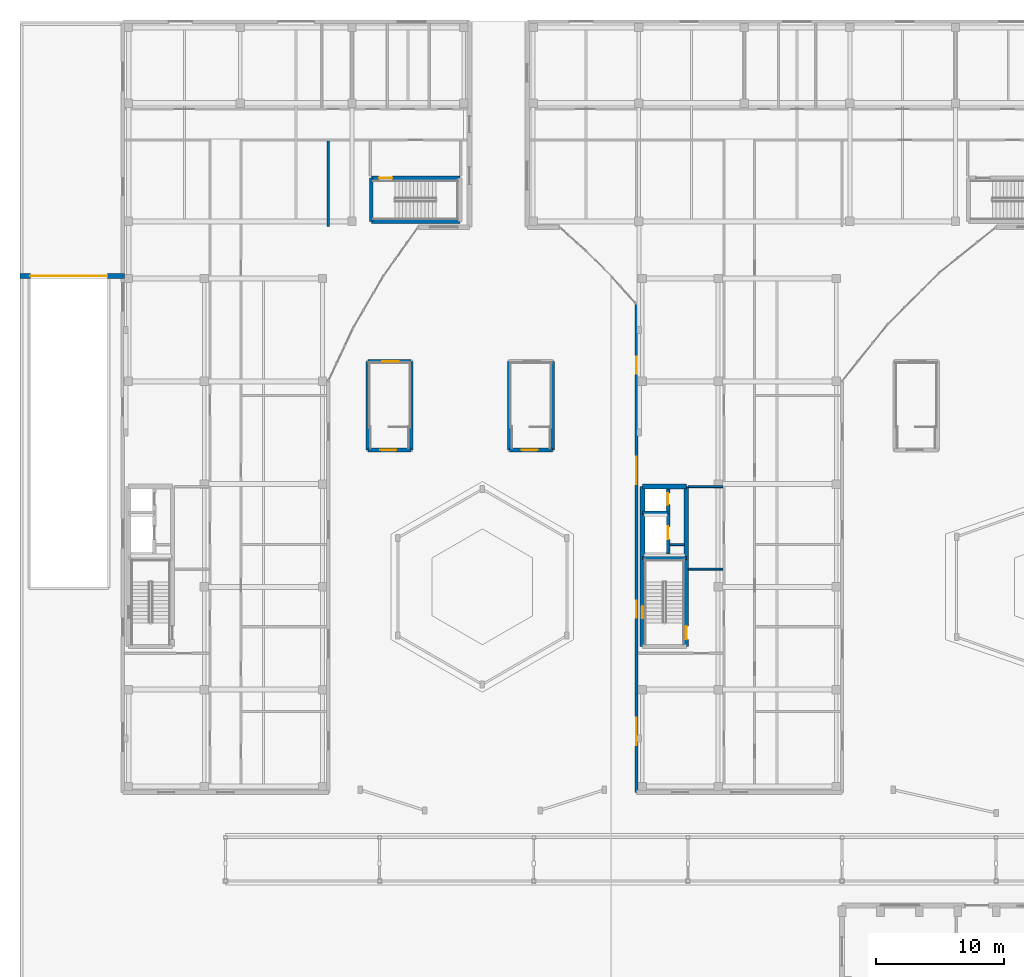
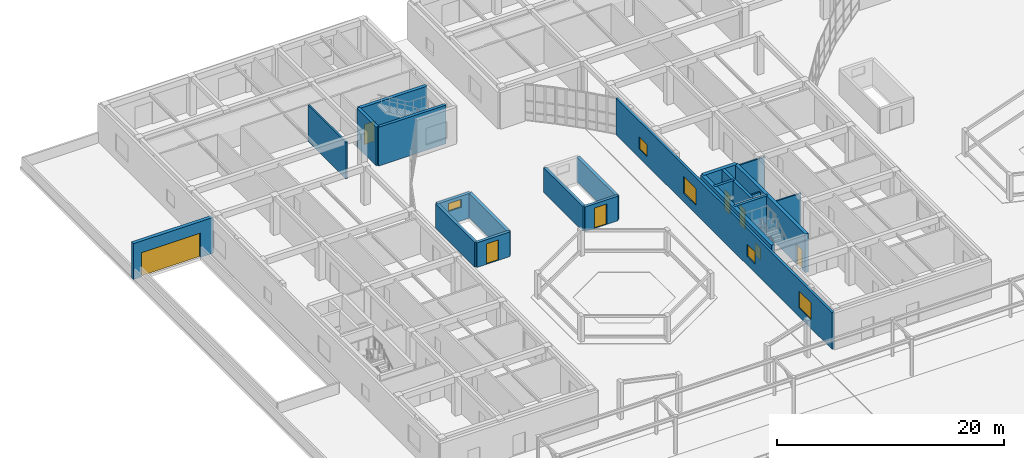
# One storey, part 80 of 114: 22 walls, 7 doors, 6 windows, 13 openings.
"""IFC4 building model written with IfcOpenShell, lengths in metres."""

import ifcopenshell
import ifcopenshell.guid

model = None  # the IFC model being written
_history = None  # IfcOwnerHistory: only IFC2X3 demands one
_inside = {}  # id of a spatial element -> (the spatial element, [elements in it])
_under = {}  # id of a project, library or spatial element -> (it, [spatial elements below it])
_declared = {}  # id of a project -> (the project, [libraries it declares])
_typed = {}  # id of a type object -> (the type object, [elements of that type])
_made_of = {}  # id of a material, layer set ... -> (it, [elements and type objects made of it])


def new_model(schema):
    """Start an empty IFC model of exactly this schema.

    Asked for "IFC4X3", IfcOpenShell would pick the latest addendum, in which some entities
    have other attributes; the version numbers below select the first issue.
    IFC2X3 requires an IfcOwnerHistory on every rooted entity: one is made here for all.
    """
    global model, _history
    if schema == "IFC4X3":
        model = ifcopenshell.file(schema_version=(4, 3, 0, 0))
    else:
        model = ifcopenshell.file(schema=schema)
    _inside.clear()
    _under.clear()
    _declared.clear()
    _typed.clear()
    _made_of.clear()
    _history = None
    if model.schema == "IFC2X3":
        org = make("IfcOrganization", Name="unknown")
        user = make(
            "IfcPersonAndOrganization",
            ThePerson=make("IfcPerson", FamilyName="unknown"),
            TheOrganization=org,
        )
        app = make(
            "IfcApplication",
            ApplicationDeveloper=org,
            Version="unknown",
            ApplicationFullName="unknown",
            ApplicationIdentifier="unknown",
        )
        _history = make(
            "IfcOwnerHistory",
            OwningUser=user,
            OwningApplication=app,
            ChangeAction="ADDED",
            CreationDate=0,
        )
    return model


def make(cls, **values):
    """One entity of the class cls with the attributes given. An attribute that is None is left unset."""
    return model.create_entity(
        cls, **{name: value for name, value in values.items() if value is not None}
    )


def rooted(cls, **values):
    """An entity with a GlobalId (a new one), such as an element, a storey or a relation."""
    return make(cls, GlobalId=ifcopenshell.guid.new(), OwnerHistory=_history, **values)


def si_unit(unit_type, name, prefix=None):
    """IfcSIUnit, for example si_unit("LENGTHUNIT", "METRE", prefix="MILLI")."""
    return make("IfcSIUnit", UnitType=unit_type, Prefix=prefix, Name=name)


def assignment(units):
    """IfcUnitAssignment: the units of a project."""
    return None if units is None else make("IfcUnitAssignment", Units=units)


def point(xyz):
    """IfcCartesianPoint."""
    return None if xyz is None else make("IfcCartesianPoint", Coordinates=xyz)


def direction(xyz):
    """IfcDirection."""
    return None if xyz is None else make("IfcDirection", DirectionRatios=xyz)


def frame(location, z_axis=None, x_axis=None):
    """IfcAxis2Placement3D, a coordinate frame: its origin and axes. An axis left out is left unset."""
    return make(
        "IfcAxis2Placement3D",
        Location=point(location),
        Axis=direction(z_axis),
        RefDirection=direction(x_axis),
    )


def frame_2d(location, x_axis=None):
    """IfcAxis2Placement2D, a coordinate frame in the plane: its origin and x axis."""
    return make(
        "IfcAxis2Placement2D", Location=point(location), RefDirection=direction(x_axis)
    )


def origin():
    """The frame at (0, 0, 0) with its axes left unset."""
    return frame((0.0, 0.0, 0.0))


def place(relative_to, where):
    """IfcLocalPlacement: puts the frame where relative to a parent placement (None: the world)."""
    return make(
        "IfcLocalPlacement", PlacementRelTo=relative_to, RelativePlacement=where
    )


def context(
    kind, dimensions, precision=None, world=None, true_north=None, identifier=None
):
    """IfcGeometricRepresentationContext, for example the 3D "Model" context."""
    return make(
        "IfcGeometricRepresentationContext",
        ContextIdentifier=identifier,
        ContextType=kind,
        CoordinateSpaceDimension=dimensions,
        Precision=precision,
        WorldCoordinateSystem=world,
        TrueNorth=true_north,
    )


def subcontext(parent, identifier, kind, view, scale=None):
    """IfcGeometricRepresentationSubContext, for example "Body" below "Model"."""
    return make(
        "IfcGeometricRepresentationSubContext",
        ContextIdentifier=identifier,
        ContextType=kind,
        ParentContext=parent,
        TargetScale=scale,
        TargetView=view,
    )


def project(units=None, contexts=None):
    """IfcProject with its units and contexts."""
    return rooted(
        "IfcProject",
        Name="project",
        RepresentationContexts=contexts,
        UnitsInContext=assignment(units),
    )


def spatial(cls, under=None, at=None, **own):
    """A site, building, storey or space (cls), placed at a placement, below another one or the project."""
    s = rooted(cls, ObjectPlacement=at, **own)
    if under is not None:
        _under.setdefault(under.id(), (under, []))[1].append(s)
    return s


def profile(cls, at=None, kind="AREA", **sizes):
    """A parametric profile (cls). Its sizes go by their IFC names, for example OverallWidth=200.0."""
    return make(cls, ProfileType=kind, Position=at, **sizes)


def rectangle(**sizes):
    """IfcRectangleProfileDef."""
    return profile("IfcRectangleProfileDef", **sizes)


def extrude(swept, where, along, depth):
    """IfcExtrudedAreaSolid: the profile swept, set in the frame where, extruded along a direction by depth."""
    return make(
        "IfcExtrudedAreaSolid",
        SweptArea=swept,
        Position=where,
        ExtrudedDirection=direction(along),
        Depth=depth,
    )


def shape(context_of_items, identifier, shape_type, items):
    """IfcShapeRepresentation: the items that make up one representation, for example the "Body"."""
    return make(
        "IfcShapeRepresentation",
        ContextOfItems=context_of_items,
        RepresentationIdentifier=identifier,
        RepresentationType=shape_type,
        Items=items,
    )


def material(Name=None, Category=None):
    """IfcMaterial."""
    return make("IfcMaterial", Name=Name, Category=Category)


def layer(
    of_material, thickness, ventilated=None, Name=None, Category=None, Priority=None
):
    """IfcMaterialLayer: one layer of a wall or slab, of a material (None: an air gap)."""
    return make(
        "IfcMaterialLayer",
        Material=of_material,
        LayerThickness=thickness,
        IsVentilated=ventilated,
        Name=Name,
        Category=Category,
        Priority=Priority,
    )


def layer_set(layers, Name=None):
    """IfcMaterialLayerSet."""
    return make("IfcMaterialLayerSet", MaterialLayers=layers, LayerSetName=Name)


def made_of(thing, what):
    """Note that an element or type object is made of a material, layer set ...; save() writes the relation."""
    if what is not None:
        _made_of.setdefault(what.id(), (what, []))[1].append(thing)
    return thing


def type_object(cls, material=None, **own):
    """A type object (cls), such as IfcWallType, which elements share."""
    return made_of(rooted(cls, **own), material)


def element(
    cls,
    number,
    at=None,
    inside=None,
    cuts=None,
    type_object=None,
    material=None,
    context=None,
    identifier="Body",
    shape_type=None,
    held_by="IfcProductDefinitionShape",
    body=None,
    shapes=None,
    **own,
):
    """One element of the class cls, such as IfcWall. Its Tag is "e" and its number.

    at: its placement. inside: the storey or other place that contains it. cuts: it is an
    opening in that element (IfcRelVoidsElement). A single representation is given by context,
    identifier, shape_type and body (its items); several are given by shapes. held_by: the class
    of the entity that holds the representations. save() writes the other relations.
    """
    e = rooted(cls, Tag="e%d" % number, ObjectPlacement=at, **own)
    if body is not None:
        shapes = [shape(context, identifier, shape_type, body)]
    if shapes is not None:
        e.Representation = make(held_by, Representations=shapes)
    if inside is not None:
        _inside.setdefault(inside.id(), (inside, []))[1].append(e)
    if cuts is not None:
        rooted(
            "IfcRelVoidsElement", RelatingBuildingElement=cuts, RelatedOpeningElement=e
        )
    if type_object is not None:
        _typed.setdefault(type_object.id(), (type_object, []))[1].append(e)
    return made_of(e, material)


def fill(opening, filler):
    """IfcRelFillsElement: the door or window that sits in an opening."""
    return rooted(
        "IfcRelFillsElement",
        RelatingOpeningElement=opening,
        RelatedBuildingElement=filler,
    )


def aggregate(whole, parts):
    """IfcRelAggregates: a whole, such as a stair, and the parts it consists of."""
    return rooted("IfcRelAggregates", RelatingObject=whole, RelatedObjects=parts)


def save(model, path):
    """Write the relations noted so far, then the file.

    IfcRelAggregates (storeys below a building ...), IfcRelContainedInSpatialStructure (elements
    in a storey), IfcRelDefinesByType, IfcRelAssociatesMaterial and IfcRelDeclares: one each for
    every whole, place, type object, material and project.
    """
    for whole, parts in _under.values():
        aggregate(whole, parts)
    for where, things in _inside.values():
        rooted(
            "IfcRelContainedInSpatialStructure",
            RelatedElements=things,
            RelatingStructure=where,
        )
    for kind, things in _typed.values():
        rooted("IfcRelDefinesByType", RelatedObjects=things, RelatingType=kind)
    for what, things in _made_of.values():
        rooted("IfcRelAssociatesMaterial", RelatedObjects=things, RelatingMaterial=what)
    for by, libraries in _declared.values():
        rooted("IfcRelDeclares", RelatingContext=by, RelatedDefinitions=libraries)
    model.write(path)


model = new_model("IFC4")

# Units and contexts
model_context = context("Model", 3, precision=1e-05, world=origin(), true_north=direction((0.0, 1.0)))
body_context = subcontext(model_context, "Body", "Model", "MODEL_VIEW")
ifc_project = project(units=[si_unit("LENGTHUNIT", "METRE"), si_unit("AREAUNIT", "SQUARE_METRE"), si_unit("VOLUMEUNIT", "CUBIC_METRE"), si_unit("PLANEANGLEUNIT", "RADIAN"), si_unit("MASSUNIT", "GRAM", prefix="KILO")], contexts=[model_context])

# Site, building, storey
site_placement = place(None, origin())
site = spatial("IfcSite", under=ifc_project, at=site_placement, CompositionType="ELEMENT")
building_placement = place(site_placement, origin())
building = spatial("IfcBuilding", under=site, at=building_placement, Name="Keldmere Railside Commons", CompositionType="ELEMENT")
storey_placement = place(building_placement, origin())
storey = spatial("IfcBuildingStorey", under=building, at=storey_placement, Name="L00", CompositionType="ELEMENT", Elevation=0.0)

# Walls
ifc_material_1 = material(Name="Acoustic Gypsum Board Partition", Category="gypsum")
ifc_layer_1 = layer(ifc_material_1, 0.179931640625, Name="Acoustic Demising Partition 180")
ifc_layer_set_1 = layer_set([ifc_layer_1], Name="Acoustic Gypsum Board Partition")
wall_type_1 = type_object("IfcWallType", Name="Acoustic Demising Partition 180", PredefinedType="PARTITIONING", material=ifc_layer_set_1)
wall_1_placement = place(storey_placement, frame((24.0, 100.050048828125, 0.0), z_axis=(0.0, 0.0, 1.0), x_axis=(0.0, 1.0, 0.0)))
element("IfcWall", 1, at=wall_1_placement, inside=storey, type_object=wall_type_1, Name="IW-1 IW-L00-0188", PredefinedType="PARTITIONING", context=body_context, shape_type="SweptSolid", body=[
    extrude(rectangle(XDim=6.669921875, YDim=0.179931640625, at=frame_2d((3.3349609375, 0.0))), origin(), (0.0, 0.0, 1.0), 3.89501953125),
])
ifc_material_2 = material(Name="Concrete H-35 (C35/45)", Category="concrete")
ifc_layer_2 = layer(ifc_material_2, 0.280029296875, Name="Core Shear Wall 280")
ifc_layer_set_2 = layer_set([ifc_layer_2], Name="Concrete H-35 (C35/45)")
wall_type_2 = type_object("IfcWallType", Name="Core Shear Wall 280", PredefinedType="SHEAR", material=ifc_layer_set_2)
wall_2_placement = place(storey_placement, frame((48.4599609375, 74.239990234375, 0.0), z_axis=(0.0, 0.0, 1.0), x_axis=(1.0, 0.0, 0.0)))
element("IfcWall", 2, at=wall_2_placement, inside=storey, type_object=wall_type_2, Name="CSW-2 CORECM-L00-0202", PredefinedType="SHEAR", context=body_context, shape_type="SweptSolid", body=[
    extrude(rectangle(XDim=3.41015625, YDim=0.280029296875, at=frame_2d((1.705078125, 0.0))), origin(), (0.0, 0.0, 1.0), 4.159912109375),
])
wall_3_placement = place(storey_placement, frame((48.4599609375, 77.75, 0.0), z_axis=(0.0, 0.0, 1.0), x_axis=(1.0, 0.0, 0.0)))
element("IfcWall", 3, at=wall_3_placement, inside=storey, type_object=wall_type_2, Name="CSW-2 CORECL-L00-0203", PredefinedType="SHEAR", context=body_context, shape_type="SweptSolid", body=[
    extrude(rectangle(XDim=2.0, YDim=0.280029296875, at=frame_2d((1.0, 0.0))), origin(), (0.0, 0.0, 1.0), 4.159912109375),
])

# Wall, openings, doors
wall_4_placement = place(storey_placement, frame((50.4599609375, 74.550048828125, 0.0), z_axis=(0.0, 0.0, 1.0), x_axis=(0.0, 1.0, 0.0)))
wall_4 = element("IfcWall", 4, at=wall_4_placement, inside=storey, type_object=wall_type_2, Name="CSW-2 LSHC-L00-0204", PredefinedType="SHEAR", context=body_context, shape_type="SweptSolid", body=[
    extrude(rectangle(XDim=5.25, YDim=0.280029296875, at=frame_2d((2.625, 0.0))), origin(), (0.0, 0.0, 1.0), 4.159912109375),
])
opening_1_placement = place(wall_4_placement, frame((1.14990234375, 0.0, 0.0)))
opening_1 = element("IfcOpeningElement", 5, at=opening_1_placement, cuts=wall_4, Name="Opening LD-1", PredefinedType="OPENING", context=body_context, shape_type="SweptSolid", body=[
    extrude(rectangle(XDim=1.0, YDim=2.14990234375, at=frame_2d((0.5, 1.074951171875))), frame((0.0, 0.14990234375, 0.0), z_axis=(0.0, -1.0, 0.0), x_axis=(1.0, 0.0, 0.0)), (0.0, 0.0, 1.0), 0.300048828125),
])
opening_2_placement = place(wall_4_placement, frame((3.85009765625, 0.0, 0.0)))
opening_2 = element("IfcOpeningElement", 6, at=opening_2_placement, cuts=wall_4, Name="Opening LD-2", PredefinedType="OPENING", context=body_context, shape_type="SweptSolid", body=[
    extrude(rectangle(XDim=0.89990234375, YDim=2.14990234375, at=frame_2d((0.449951171875, 1.074951171875))), frame((0.0, 0.14990234375, 0.0), z_axis=(0.0, -1.0, 0.0), x_axis=(1.0, 0.0, 0.0)), (0.0, 0.0, 1.0), 0.300048828125),
])
ifc_material_3 = material(Name="Steel F-24 (S235)", Category="steel")
door_type_1 = type_object("IfcDoorType", Name="Firefighting Stretcher Lift Landing Door 1000x2150", OperationType="SLIDING_TO_LEFT", PredefinedType="DOOR", material=ifc_material_3)
door_1_placement = place(opening_1_placement, origin())
door_1 = element("IfcDoor", 7, at=door_1_placement, inside=storey, type_object=door_type_1, Name="LD-1 C L00", OperationType="SLIDING_TO_LEFT", OverallHeight=2.14990234375, OverallWidth=1.0, PredefinedType="DOOR", context=body_context, shape_type="SweptSolid", body=[
    extrude(rectangle(XDim=1.0, YDim=2.14990234375, at=frame_2d((0.5, 1.074951171875))), frame((0.0, 0.02490234375, 0.0), z_axis=(0.0, -1.0, 0.0), x_axis=(1.0, 0.0, 0.0)), (0.0, 0.0, 1.0), 0.050048828125),
])
fill(opening_1, door_1)
door_type_2 = type_object("IfcDoorType", Name="Passenger Lift Sliding Landing Door 900x2150", OperationType="SLIDING_TO_RIGHT", PredefinedType="DOOR", material=ifc_material_3)
door_2_placement = place(opening_2_placement, origin())
door_2 = element("IfcDoor", 8, at=door_2_placement, inside=storey, type_object=door_type_2, Name="LD-2 C L00", OperationType="SLIDING_TO_RIGHT", OverallHeight=2.14990234375, OverallWidth=0.89990234375, PredefinedType="DOOR", context=body_context, shape_type="SweptSolid", body=[
    extrude(rectangle(XDim=0.89990234375, YDim=2.14990234375, at=frame_2d((0.449951171875, 1.074951171875))), frame((0.0, 0.02490234375, 0.0), z_axis=(0.0, -1.0, 0.0), x_axis=(1.0, 0.0, 0.0)), (0.0, 0.0, 1.0), 0.050048828125),
])
fill(opening_2, door_2)

# Wall, opening, window
ifc_material_4 = material(Name="Concrete H-40 (C40/50)", Category="concrete")
ifc_layer_3 = layer(ifc_material_4, 0.3798828125, Name="Core Shear Wall 380")
ifc_layer_set_3 = layer_set([ifc_layer_3], Name="Concrete H-40 (C40/50)")
wall_type_3 = type_object("IfcWallType", Name="Core Shear Wall 380", PredefinedType="SHEAR", material=ifc_layer_set_3)
wall_5_placement = place(storey_placement, frame((48.4599609375, 67.35009765625, 0.0), z_axis=(0.0, 0.0, 1.0), x_axis=(0.0, 1.0, 0.0)))
wall_5 = element("IfcWall", 9, at=wall_5_placement, inside=storey, type_object=wall_type_3, Name="CW-CORE CORECW-L00-0198", PredefinedType="SHEAR", context=body_context, shape_type="SweptSolid", body=[
    extrude(rectangle(XDim=12.449951171875, YDim=0.3798828125, at=frame_2d((6.22509765625, 0.0))), origin(), (0.0, 0.0, 1.0), 4.159912109375),
])
opening_3_placement = place(wall_5_placement, frame((2.199951171875, 0.0, 1.199951171875)))
opening_3 = element("IfcOpeningElement", 10, at=opening_3_placement, cuts=wall_5, Name="Opening WN-17", PredefinedType="OPENING", context=body_context, shape_type="SweptSolid", body=[
    extrude(rectangle(XDim=0.949951171875, YDim=1.25, at=frame_2d((0.47509765625, 0.625))), frame((0.0, 0.199951171875, 0.0), z_axis=(0.0, -1.0, 0.0), x_axis=(1.0, 0.0, 0.0)), (0.0, 0.0, 1.0), 0.39990234375),
])
ifc_material_5 = material(Name="Low-E Insulated Double Glazing", Category="glass")
window_type_1 = type_object("IfcWindowType", Name="Stair Core Natural Smoke-Vent Window 950x1250", PartitioningType="SINGLE_PANEL", PredefinedType="WINDOW", material=ifc_material_5)
window_1_placement = place(opening_3_placement, origin())
window_1 = element("IfcWindow", 11, at=window_1_placement, inside=storey, type_object=window_type_1, Name="WN-17 WIN-L00-0146", OverallHeight=1.25, OverallWidth=0.949951171875, PartitioningType="SINGLE_PANEL", PredefinedType="WINDOW", context=body_context, shape_type="SweptSolid", body=[
    extrude(rectangle(XDim=0.949951171875, YDim=1.25, at=frame_2d((0.47509765625, 0.625))), frame((0.0, 0.030029296875, 0.0), z_axis=(0.0, -1.0, 0.0), x_axis=(1.0, 0.0, 0.0)), (0.0, 0.0, 1.0), 0.06005859375),
])
fill(opening_3, window_1)

# Wall
wall_6_placement = place(storey_placement, frame((48.4599609375, 79.800048828125, 0.0), z_axis=(0.0, 0.0, 1.0), x_axis=(1.0, 0.0, 0.0)))
element("IfcWall", 12, at=wall_6_placement, inside=storey, type_object=wall_type_3, Name="CW-CORE CORECN-L00-0199", PredefinedType="SHEAR", context=body_context, shape_type="SweptSolid", body=[
    extrude(rectangle(XDim=3.41015625, YDim=0.3798828125, at=frame_2d((1.705078125, 0.0))), origin(), (0.0, 0.0, 1.0), 4.159912109375),
])

# Wall, opening, door
ifc_layer_4 = layer(ifc_material_2, 0.360107421875, Name="Exterior Shear Wall 360")
ifc_layer_set_4 = layer_set([ifc_layer_4], Name="Concrete H-35 (C35/45)")
wall_type_4 = type_object("IfcWallType", Name="Exterior Shear Wall 360", PredefinedType="SHEAR", material=ifc_layer_set_4)
wall_7_placement = place(storey_placement, frame((0.0, 96.199951171875, 0.0), z_axis=(0.0, 0.0, 1.0), x_axis=(1.0, 0.0, 0.0)))
wall_7 = element("IfcWall", 13, at=wall_7_placement, inside=storey, type_object=wall_type_4, Name="ESW-1 WAL-RAMP-PORTAL-L00", PredefinedType="SHEAR", context=body_context, shape_type="SweptSolid", body=[
    extrude(rectangle(XDim=8.125, YDim=0.360107421875, at=frame_2d((4.0625, 0.0))), origin(), (0.0, 0.0, 1.0), 3.840087890625),
])
opening_4_placement = place(wall_7_placement, frame((0.800048828125, 0.0, 0.0)))
opening_4 = element("IfcOpeningElement", 14, at=opening_4_placement, cuts=wall_7, Name="Opening VG-1", PredefinedType="OPENING", context=body_context, shape_type="SweptSolid", body=[
    extrude(rectangle(XDim=6.0, YDim=2.60009765625, at=frame_2d((3.0, 1.300048828125))), frame((0.0, 0.18994140625, 0.0), z_axis=(0.0, -1.0, 0.0), x_axis=(1.0, 0.0, 0.0)), (0.0, 0.0, 1.0), 0.380126953125),
])
door_type_3 = type_object("IfcDoorType", Name="Car-Park Ramp Roller Shutter Gate 6000x2600", OperationType="ROLLINGUP", PredefinedType="GATE", material=ifc_material_3)
door_3_placement = place(opening_4_placement, origin())
door_3 = element("IfcDoor", 15, at=door_3_placement, inside=storey, type_object=door_type_3, Name="VG-1 Car-Park Ramp Shutter Gate", OperationType="ROLLINGUP", OverallHeight=2.60009765625, OverallWidth=6.0, PredefinedType="GATE", context=body_context, shape_type="SweptSolid", body=[
    extrude(rectangle(XDim=6.0, YDim=2.60009765625, at=frame_2d((3.0, 1.300048828125))), frame((0.0, 0.02490234375, 0.0), z_axis=(0.0, -1.0, 0.0), x_axis=(1.0, 0.0, 0.0)), (0.0, 0.0, 1.0), 0.050048828125),
])
fill(opening_4, door_3)

ifc_layer_5 = layer(ifc_material_2, 0.300048828125, Name="Interior Shear Wall 300")
ifc_layer_set_5 = layer_set([ifc_layer_5], Name="Concrete H-35 (C35/45)")
wall_type_5 = type_object("IfcWallType", Name="Interior Shear Wall 300", PredefinedType="SHEAR", material=ifc_layer_set_5)
wall_8_placement = place(storey_placement, frame((30.449951171875, 82.64990234375, 0.0), z_axis=(0.0, 0.0, 1.0), x_axis=(-1.0, 0.0, 0.0)))
wall_8 = element("IfcWall", 16, at=wall_8_placement, inside=storey, type_object=wall_type_5, Name="ISW-2 WAL-ST-B1-L00-S", PredefinedType="SHEAR", context=body_context, shape_type="SweptSolid", body=[
    extrude(rectangle(XDim=3.349853515625, YDim=0.300048828125, at=frame_2d((1.6748046875, 0.0))), origin(), (0.0, 0.0, 1.0), 2.64990234375),
])
opening_5_placement = place(wall_8_placement, frame((1.14990234375, 0.0, 0.0)))
opening_5 = element("IfcOpeningElement", 17, at=opening_5_placement, cuts=wall_8, Name="Opening ED-02", PredefinedType="OPENING", context=body_context, shape_type="SweptSolid", body=[
    extrude(rectangle(XDim=1.25, YDim=2.199951171875, at=frame_2d((0.625, 1.10009765625))), frame((0.0, 0.159912109375, 0.0), z_axis=(0.0, -1.0, 0.0), x_axis=(1.0, 0.0, 0.0)), (0.0, 0.0, 1.0), 0.320068359375),
])
door_type_4 = type_object("IfcDoorType", Name="Stair Final Escape Exit Door 1250x2200", OperationType="NOTDEFINED", PredefinedType="DOOR", material=ifc_material_3)
door_4_placement = place(opening_5_placement, origin())
door_4 = element("IfcDoor", 18, at=door_4_placement, inside=storey, type_object=door_type_4, Name="ED-02 ST-B1 Court Exit", OperationType="SINGLE_SWING_LEFT", OverallHeight=2.199951171875, OverallWidth=1.25, PredefinedType="DOOR", context=body_context, shape_type="SweptSolid", body=[
    extrude(rectangle(XDim=1.25, YDim=2.199951171875, at=frame_2d((0.625, 1.10009765625))), frame((0.0, 0.02490234375, 0.0), z_axis=(0.0, -1.0, 0.0), x_axis=(1.0, 0.0, 0.0)), (0.0, 0.0, 1.0), 0.050048828125),
])
fill(opening_5, door_4)

# Wall
wall_9_placement = place(storey_placement, frame((27.10009765625, 82.64990234375, 0.0), z_axis=(0.0, 0.0, 1.0), x_axis=(0.0, 1.0, 0.0)))
element("IfcWall", 19, at=wall_9_placement, inside=storey, type_object=wall_type_5, Name="ISW-2 WAL-ST-B1-L00-W", PredefinedType="SHEAR", context=body_context, shape_type="SweptSolid", body=[
    extrude(rectangle(XDim=6.900146484375, YDim=0.300048828125, at=frame_2d((3.4501953125, 0.0))), origin(), (0.0, 0.0, 1.0), 2.64990234375),
])

# Wall, opening, window
wall_10_placement = place(storey_placement, frame((27.10009765625, 89.550048828125, 0.0), z_axis=(0.0, 0.0, 1.0), x_axis=(1.0, 0.0, 0.0)))
wall_10 = element("IfcWall", 20, at=wall_10_placement, inside=storey, type_object=wall_type_5, Name="ISW-2 WAL-ST-B1-L00-N", PredefinedType="SHEAR", context=body_context, shape_type="SweptSolid", body=[
    extrude(rectangle(XDim=3.349853515625, YDim=0.300048828125, at=frame_2d((1.6748046875, 0.0))), origin(), (0.0, 0.0, 1.0), 2.64990234375),
])
opening_6_placement = place(wall_10_placement, frame((1.10009765625, 0.0, 1.449951171875)))
opening_6 = element("IfcOpeningElement", 21, at=opening_6_placement, cuts=wall_10, Name="Opening WN-37", PredefinedType="OPENING", context=body_context, shape_type="SweptSolid", body=[
    extrude(rectangle(XDim=1.300048828125, YDim=0.85009765625, at=frame_2d((0.64990234375, 0.425048828125))), frame((0.0, 0.159912109375, 0.0), z_axis=(0.0, -1.0, 0.0), x_axis=(1.0, 0.0, 0.0)), (0.0, 0.0, 1.0), 0.320068359375),
])
window_type_2 = type_object("IfcWindowType", Name="Headhouse Louvre-Glazed Clerestory 1300x850", PartitioningType="SINGLE_PANEL", PredefinedType="WINDOW", material=ifc_material_5)
window_2_placement = place(opening_6_placement, origin())
window_2 = element("IfcWindow", 22, at=window_2_placement, inside=storey, type_object=window_type_2, Name="WN-37 WIN-L00-0001", OverallHeight=0.85009765625, OverallWidth=1.300048828125, PartitioningType="SINGLE_PANEL", PredefinedType="WINDOW", context=body_context, shape_type="SweptSolid", body=[
    extrude(rectangle(XDim=1.300048828125, YDim=0.85009765625, at=frame_2d((0.64990234375, 0.425048828125))), frame((0.0, 0.030029296875, 0.0), z_axis=(0.0, -1.0, 0.0), x_axis=(1.0, 0.0, 0.0)), (0.0, 0.0, 1.0), 0.06005859375),
])
fill(opening_6, window_2)

# Wall
wall_11_placement = place(storey_placement, frame((30.449951171875, 89.550048828125, 0.0), z_axis=(0.0, 0.0, 1.0), x_axis=(0.0, -1.0, 0.0)))
element("IfcWall", 23, at=wall_11_placement, inside=storey, type_object=wall_type_5, Name="ISW-2 WAL-ST-B1-L00-E", PredefinedType="SHEAR", context=body_context, shape_type="SweptSolid", body=[
    extrude(rectangle(XDim=6.900146484375, YDim=0.300048828125, at=frame_2d((3.4501953125, 0.0))), origin(), (0.0, 0.0, 1.0), 2.64990234375),
])

# Wall, opening, door
wall_12_placement = place(storey_placement, frame((41.449951171875, 82.64990234375, 0.0), z_axis=(0.0, 0.0, 1.0), x_axis=(-1.0, 0.0, 0.0)))
wall_12 = element("IfcWall", 24, at=wall_12_placement, inside=storey, type_object=wall_type_5, Name="ISW-2 WAL-ST-B2-L00-S", PredefinedType="SHEAR", context=body_context, shape_type="SweptSolid", body=[
    extrude(rectangle(XDim=3.349853515625, YDim=0.300048828125, at=frame_2d((1.6748046875, 0.0))), origin(), (0.0, 0.0, 1.0), 2.64990234375),
])
opening_7_placement = place(wall_12_placement, frame((1.14990234375, 0.0, 0.0)))
opening_7 = element("IfcOpeningElement", 25, at=opening_7_placement, cuts=wall_12, Name="Opening ED-02", PredefinedType="OPENING", context=body_context, shape_type="SweptSolid", body=[
    extrude(rectangle(XDim=1.25, YDim=2.199951171875, at=frame_2d((0.625, 1.10009765625))), frame((0.0, 0.159912109375, 0.0), z_axis=(0.0, -1.0, 0.0), x_axis=(1.0, 0.0, 0.0)), (0.0, 0.0, 1.0), 0.320068359375),
])
door_5_placement = place(opening_7_placement, origin())
door_5 = element("IfcDoor", 26, at=door_5_placement, inside=storey, type_object=door_type_4, Name="ED-02 ST-B2 Court Exit", OperationType="SINGLE_SWING_LEFT", OverallHeight=2.199951171875, OverallWidth=1.25, PredefinedType="DOOR", context=body_context, shape_type="SweptSolid", body=[
    extrude(rectangle(XDim=1.25, YDim=2.199951171875, at=frame_2d((0.625, 1.10009765625))), frame((0.0, 0.02490234375, 0.0), z_axis=(0.0, -1.0, 0.0), x_axis=(1.0, 0.0, 0.0)), (0.0, 0.0, 1.0), 0.050048828125),
])
fill(opening_7, door_5)

# Walls
for number, where, z_axis, x_axis, name in (
    (27, (38.10009765625, 82.64990234375, 0.0), (0.0, 0.0, 1.0), (0.0, 1.0, 0.0), "ISW-2 WAL-ST-B2-L00-W"),
    (28, (41.449951171875, 89.550048828125, 0.0), (0.0, 0.0, 1.0), (0.0, -1.0, 0.0), "ISW-2 WAL-ST-B2-L00-E"),
):
    element("IfcWall", number, at=place(storey_placement, frame(where, z_axis=z_axis, x_axis=x_axis)), inside=storey, type_object=wall_type_5, Name=name, PredefinedType="SHEAR", context=body_context, shape_type="SweptSolid", body=[
        extrude(rectangle(XDim=6.900146484375, YDim=0.300048828125, at=frame_2d((3.4501953125, 0.0))), origin(), (0.0, 0.0, 1.0), 2.64990234375),
    ])
wall_13_placement = place(storey_placement, frame((27.35009765625, 100.449951171875, 0.0), z_axis=(0.0, 0.0, 1.0), x_axis=(1.0, 0.0, 0.0)))
element("IfcWall", 29, at=wall_13_placement, inside=storey, type_object=wall_type_5, Name="ISW-2 CORED2S-L00-0035", PredefinedType="SHEAR", context=body_context, shape_type="SweptSolid", body=[
    extrude(rectangle(XDim=6.89990234375, YDim=0.300048828125, at=frame_2d((3.449951171875, 0.0))), origin(), (0.0, 0.0, 1.0), 4.159912109375),
])
wall_14_placement = place(storey_placement, frame((27.35009765625, 103.820068359375, 0.0), z_axis=(0.0, 0.0, 1.0), x_axis=(0.0, -1.0, 0.0)))
element("IfcWall", 30, at=wall_14_placement, inside=storey, type_object=wall_type_5, Name="ISW-2 CORED2W-L00-0037", PredefinedType="SHEAR", context=body_context, shape_type="SweptSolid", body=[
    extrude(rectangle(XDim=3.3701171875, YDim=0.300048828125, at=frame_2d((1.68505859375, 0.0))), origin(), (0.0, 0.0, 1.0), 4.159912109375),
])

# Wall, opening, door
ifc_layer_6 = layer(ifc_material_2, 0.340087890625, Name="Interior Shear Wall 340")
ifc_layer_set_6 = layer_set([ifc_layer_6], Name="Concrete H-35 (C35/45)")
wall_type_6 = type_object("IfcWallType", Name="Interior Shear Wall 340", PredefinedType="SHEAR", material=ifc_layer_set_6)
wall_15_placement = place(storey_placement, frame((34.25, 103.820068359375, 0.0), z_axis=(0.0, 0.0, 1.0), x_axis=(-1.0, 0.0, 0.0)))
wall_15 = element("IfcWall", 31, at=wall_15_placement, inside=storey, type_object=wall_type_6, Name="ISW-1 CORED2N-L00-0036", PredefinedType="SHEAR", context=body_context, shape_type="SweptSolid", body=[
    extrude(rectangle(XDim=6.89990234375, YDim=0.340087890625, at=frame_2d((3.449951171875, 0.0))), origin(), (0.0, 0.0, 1.0), 4.159912109375),
])
opening_8_placement = place(wall_15_placement, frame((5.25, 0.0, 0.0)))
opening_8 = element("IfcOpeningElement", 32, at=opening_8_placement, cuts=wall_15, Name="Opening FD-1", PredefinedType="OPENING", context=body_context, shape_type="SweptSolid", body=[
    extrude(rectangle(XDim=1.050048828125, YDim=2.14990234375, at=frame_2d((0.52490234375, 1.074951171875))), frame((0.0, 0.179931640625, 0.0), z_axis=(0.0, -1.0, 0.0), x_axis=(1.0, 0.0, 0.0)), (0.0, 0.0, 1.0), 0.360107421875),
])
door_type_5 = type_object("IfcDoorType", Name="Stair Core Fire Door 1050x2150", OperationType="NOTDEFINED", PredefinedType="DOOR", material=ifc_material_3)
door_6_placement = place(opening_8_placement, origin())
door_6 = element("IfcDoor", 33, at=door_6_placement, inside=storey, type_object=door_type_5, Name="FD-1 D2 L00", OperationType="SINGLE_SWING_RIGHT", OverallHeight=2.14990234375, OverallWidth=1.050048828125, PredefinedType="DOOR", context=body_context, shape_type="SweptSolid", body=[
    extrude(rectangle(XDim=1.050048828125, YDim=2.14990234375, at=frame_2d((0.52490234375, 1.074951171875))), frame((0.0, 0.02490234375, 0.0), z_axis=(0.0, -1.0, 0.0), x_axis=(1.0, 0.0, 0.0)), (0.0, 0.0, 1.0), 0.050048828125),
])
fill(opening_8, door_6)

wall_16_placement = place(storey_placement, frame((51.8701171875, 79.800048828125, 0.0), z_axis=(0.0, 0.0, 1.0), x_axis=(0.0, -1.0, 0.0)))
wall_16 = element("IfcWall", 34, at=wall_16_placement, inside=storey, type_object=wall_type_6, Name="ISW-1 CORECE-L00-0200", PredefinedType="SHEAR", context=body_context, shape_type="SweptSolid", body=[
    extrude(rectangle(XDim=12.449951171875, YDim=0.340087890625, at=frame_2d((6.22509765625, 0.0))), origin(), (0.0, 0.0, 1.0), 4.159912109375),
])
opening_9_placement = place(wall_16_placement, frame((10.85009765625, 0.0, 0.0)))
opening_9 = element("IfcOpeningElement", 35, at=opening_9_placement, cuts=wall_16, Name="Opening FD-1", PredefinedType="OPENING", context=body_context, shape_type="SweptSolid", body=[
    extrude(rectangle(XDim=1.050048828125, YDim=2.14990234375, at=frame_2d((0.52490234375, 1.074951171875))), frame((0.0, 0.179931640625, 0.0), z_axis=(0.0, -1.0, 0.0), x_axis=(1.0, 0.0, 0.0)), (0.0, 0.0, 1.0), 0.360107421875),
])
door_7_placement = place(opening_9_placement, origin())
door_7 = element("IfcDoor", 36, at=door_7_placement, inside=storey, type_object=door_type_5, Name="FD-1 C1 L00", OperationType="SINGLE_SWING_LEFT", OverallHeight=2.14990234375, OverallWidth=1.050048828125, PredefinedType="DOOR", context=body_context, shape_type="SweptSolid", body=[
    extrude(rectangle(XDim=1.050048828125, YDim=2.14990234375, at=frame_2d((0.52490234375, 1.074951171875))), frame((0.0, 0.02490234375, 0.0), z_axis=(0.0, -1.0, 0.0), x_axis=(1.0, 0.0, 0.0)), (0.0, 0.0, 1.0), 0.050048828125),
])
fill(opening_9, door_7)

# Walls
ifc_layer_7 = layer(ifc_material_1, 0.14990234375, Name="Lobby Rated Partition 150")
ifc_layer_set_7 = layer_set([ifc_layer_7], Name="Acoustic Gypsum Board Partition")
wall_type_7 = type_object("IfcWallType", Name="Lobby Rated Partition 150", PredefinedType="PARTITIONING", material=ifc_layer_set_7)
wall_17_placement = place(storey_placement, frame((50.60009765625, 75.280029296875, 0.0), z_axis=(0.0, 0.0, 1.0), x_axis=(1.0, 0.0, 0.0)))
element("IfcWall", 37, at=wall_17_placement, inside=storey, type_object=wall_type_7, Name="IW-3 RSRNC-L00-0205", PredefinedType="PARTITIONING", context=body_context, shape_type="SweptSolid", body=[
    extrude(rectangle(XDim=1.1298828125, YDim=0.14990234375, at=frame_2d((0.56494140625, 0.0))), origin(), (0.0, 0.0, 1.0), 3.909912109375),
])
for number, where, z_axis, x_axis, name in (
    (38, (52.0400390625, 73.3798828125, 0.0), (0.0, 0.0, 1.0), (1.0, 0.0, 0.0), "IW-3 IW-L00-0484"),
    (39, (52.0400390625, 79.800048828125, 0.0), (0.0, 0.0, 1.0), (1.0, 0.0, 0.0), "IW-3 IW-L00-0485"),
):
    element("IfcWall", number, at=place(storey_placement, frame(where, z_axis=z_axis, x_axis=x_axis)), inside=storey, type_object=wall_type_7, Name=name, PredefinedType="PARTITIONING", context=body_context, shape_type="SweptSolid", body=[
        extrude(rectangle(XDim=2.679931640625, YDim=0.14990234375, at=frame_2d((1.33984375, 0.0))), origin(), (0.0, 0.0, 1.0), 3.89501953125),
    ])

# Wall, openings, windows
ifc_material_6 = material(Name="Architectural Precast Concrete H-35 (C35/45)", Category="concrete")
ifc_layer_8 = layer(ifc_material_6, 0.239990234375, Name="Sand-Ochre Precast Cavity Wall 240")
ifc_layer_set_8 = layer_set([ifc_layer_8], Name="Architectural Precast Concrete H-35 (C35/45)")
wall_type_8 = type_object("IfcWallType", Name="Sand-Ochre Precast Cavity Wall 240", PredefinedType="SOLIDWALL", material=ifc_layer_set_8)
wall_18_placement = place(storey_placement, frame((48.0, 56.0, 0.0), z_axis=(0.0, 0.0, 1.0), x_axis=(0.0, 1.0, 0.0)))
wall_18 = element("IfcWall", 40, at=wall_18_placement, inside=storey, type_object=wall_type_8, Name="EW-2 EXTC-L00-0325", PredefinedType="SOLIDWALL", context=body_context, shape_type="SweptSolid", body=[
    extrude(rectangle(XDim=38.0, YDim=0.239990234375, at=frame_2d((19.0, 0.0))), origin(), (0.0, 0.0, 1.0), 3.93994140625),
])
opening_10_placement = place(wall_18_placement, frame((3.675048828125, 0.0, 0.949951171875)))
opening_10 = element("IfcOpeningElement", 41, at=opening_10_placement, cuts=wall_18, Name="Opening WN-41", PredefinedType="OPENING", context=body_context, shape_type="SweptSolid", body=[
    extrude(rectangle(XDim=2.14990234375, YDim=1.800048828125, at=frame_2d((1.074951171875, 0.89990234375))), frame((0.0, 0.1298828125, 0.0), z_axis=(0.0, -1.0, 0.0), x_axis=(1.0, 0.0, 0.0)), (0.0, 0.0, 1.0), 0.260009765625),
])
opening_11_placement = place(wall_18_placement, frame((13.574951171875, 0.0, 0.949951171875)))
opening_11 = element("IfcOpeningElement", 42, at=opening_11_placement, cuts=wall_18, Name="Opening WN-25", PredefinedType="OPENING", context=body_context, shape_type="SweptSolid", body=[
    extrude(rectangle(XDim=1.35009765625, YDim=1.300048828125, at=frame_2d((0.675048828125, 0.64990234375))), frame((0.0, 0.1298828125, 0.0), z_axis=(0.0, -1.0, 0.0), x_axis=(1.0, 0.0, 0.0)), (0.0, 0.0, 1.0), 0.260009765625),
])
opening_12_placement = place(wall_18_placement, frame((23.97509765625, 0.0, 0.949951171875)))
opening_12 = element("IfcOpeningElement", 43, at=opening_12_placement, cuts=wall_18, Name="Opening WN-41", PredefinedType="OPENING", context=body_context, shape_type="SweptSolid", body=[
    extrude(rectangle(XDim=2.14990234375, YDim=1.800048828125, at=frame_2d((1.074951171875, 0.89990234375))), frame((0.0, 0.1298828125, 0.0), z_axis=(0.0, -1.0, 0.0), x_axis=(1.0, 0.0, 0.0)), (0.0, 0.0, 1.0), 0.260009765625),
])
opening_13_placement = place(wall_18_placement, frame((32.574951171875, 0.0, 0.949951171875)))
opening_13 = element("IfcOpeningElement", 44, at=opening_13_placement, cuts=wall_18, Name="Opening WN-25", PredefinedType="OPENING", context=body_context, shape_type="SweptSolid", body=[
    extrude(rectangle(XDim=1.35009765625, YDim=1.300048828125, at=frame_2d((0.675048828125, 0.64990234375))), frame((0.0, 0.1298828125, 0.0), z_axis=(0.0, -1.0, 0.0), x_axis=(1.0, 0.0, 0.0)), (0.0, 0.0, 1.0), 0.260009765625),
])
window_type_3 = type_object("IfcWindowType", Name="North Plinth Gallery Window 2150x1800", PartitioningType="SINGLE_PANEL", PredefinedType="WINDOW", material=ifc_material_5)
window_3_placement = place(opening_10_placement, origin())
window_3 = element("IfcWindow", 45, at=window_3_placement, inside=storey, type_object=window_type_3, Name="WN-41 WIN-L00-0167", OverallHeight=1.800048828125, OverallWidth=2.14990234375, PartitioningType="SINGLE_PANEL", PredefinedType="WINDOW", context=body_context, shape_type="SweptSolid", body=[
    extrude(rectangle(XDim=2.14990234375, YDim=1.800048828125, at=frame_2d((1.074951171875, 0.89990234375))), frame((0.0, 0.030029296875, 0.0), z_axis=(0.0, -1.0, 0.0), x_axis=(1.0, 0.0, 0.0)), (0.0, 0.0, 1.0), 0.06005859375),
])
fill(opening_10, window_3)
window_4_placement = place(opening_12_placement, origin())
window_4 = element("IfcWindow", 46, at=window_4_placement, inside=storey, type_object=window_type_3, Name="WN-41 WIN-L00-0169", OverallHeight=1.800048828125, OverallWidth=2.14990234375, PartitioningType="SINGLE_PANEL", PredefinedType="WINDOW", context=body_context, shape_type="SweptSolid", body=[
    extrude(rectangle(XDim=2.14990234375, YDim=1.800048828125, at=frame_2d((1.074951171875, 0.89990234375))), frame((0.0, 0.030029296875, 0.0), z_axis=(0.0, -1.0, 0.0), x_axis=(1.0, 0.0, 0.0)), (0.0, 0.0, 1.0), 0.06005859375),
])
fill(opening_12, window_4)
window_type_4 = type_object("IfcWindowType", Name="Podium Laundry & Mailroom Window 1350x1300", PartitioningType="SINGLE_PANEL", PredefinedType="WINDOW", material=ifc_material_5)
window_5_placement = place(opening_11_placement, origin())
window_5 = element("IfcWindow", 47, at=window_5_placement, inside=storey, type_object=window_type_4, Name="WN-25 WIN-L00-0168", OverallHeight=1.300048828125, OverallWidth=1.35009765625, PartitioningType="SINGLE_PANEL", PredefinedType="WINDOW", context=body_context, shape_type="SweptSolid", body=[
    extrude(rectangle(XDim=1.35009765625, YDim=1.300048828125, at=frame_2d((0.675048828125, 0.64990234375))), frame((0.0, 0.030029296875, 0.0), z_axis=(0.0, -1.0, 0.0), x_axis=(1.0, 0.0, 0.0)), (0.0, 0.0, 1.0), 0.06005859375),
])
fill(opening_11, window_5)
window_6_placement = place(opening_13_placement, origin())
window_6 = element("IfcWindow", 48, at=window_6_placement, inside=storey, type_object=window_type_4, Name="WN-25 WIN-L00-0170", OverallHeight=1.300048828125, OverallWidth=1.35009765625, PartitioningType="SINGLE_PANEL", PredefinedType="WINDOW", context=body_context, shape_type="SweptSolid", body=[
    extrude(rectangle(XDim=1.35009765625, YDim=1.300048828125, at=frame_2d((0.675048828125, 0.64990234375))), frame((0.0, 0.030029296875, 0.0), z_axis=(0.0, -1.0, 0.0), x_axis=(1.0, 0.0, 0.0)), (0.0, 0.0, 1.0), 0.06005859375),
])
fill(opening_13, window_6)

save(model, "model.ifc")
